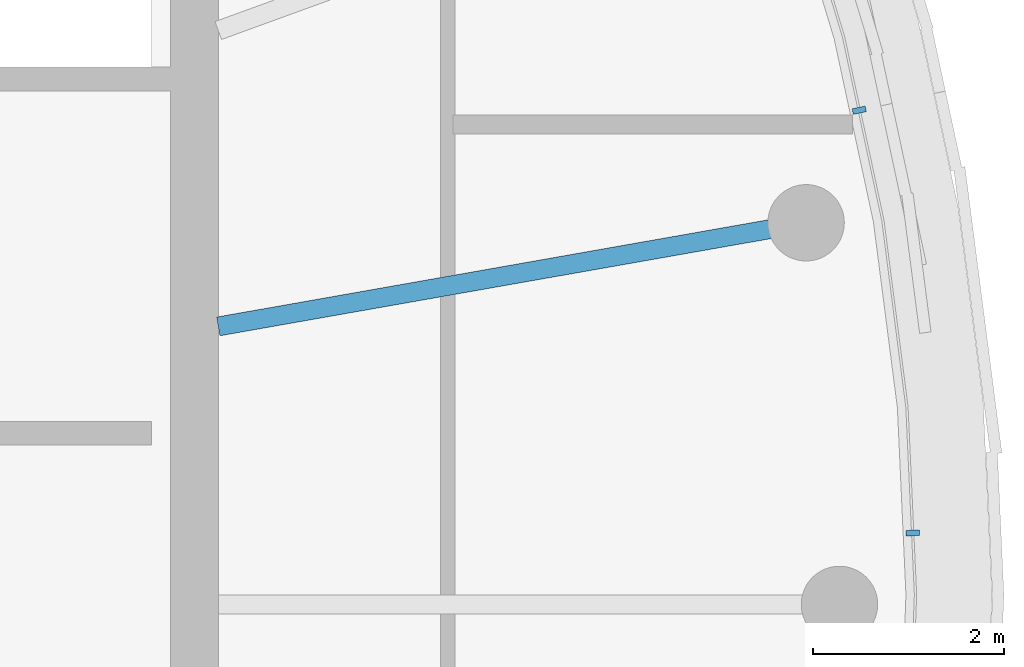
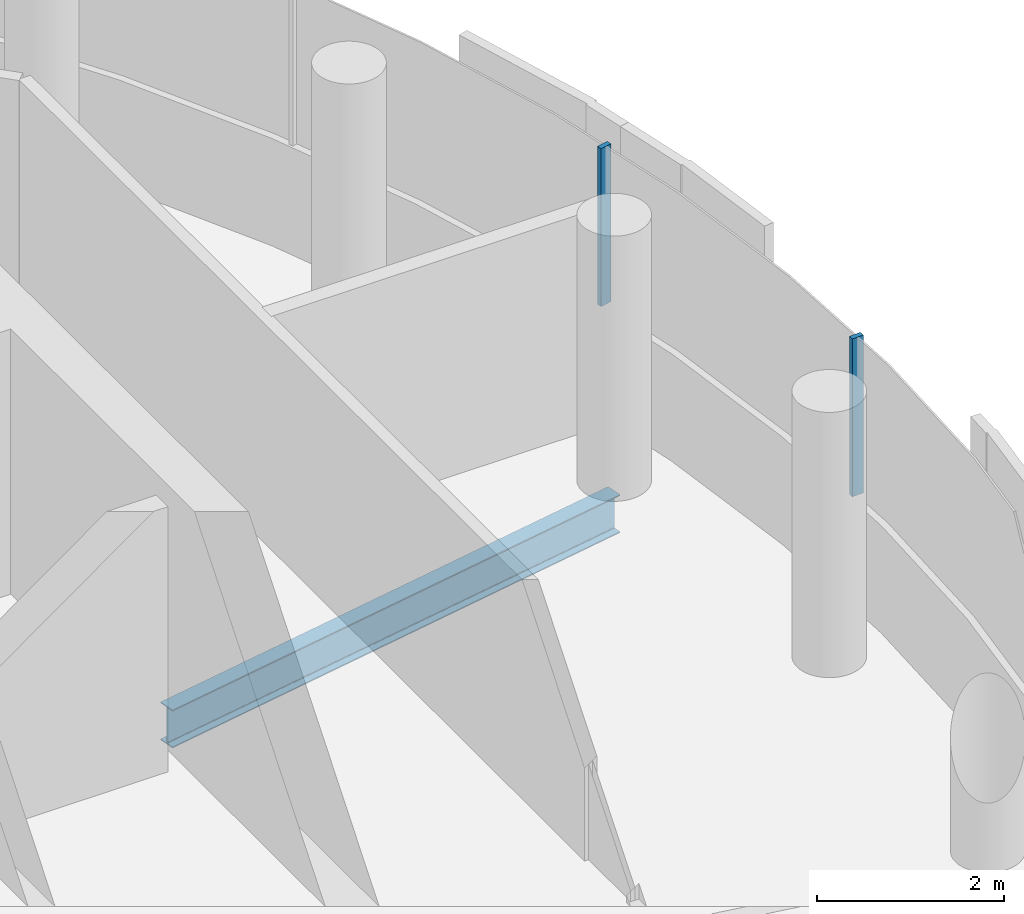
# One storey, part 8 of 21: 2 members, 1 beam, 1 element without a shape of its own.
"""IFC4 building model written with IfcOpenShell, lengths in metres."""

from ifc_helpers import new_model, si_unit, direction, frame, origin, origin_2d, place, context, subcontext, project, spatial, rectangle, i_section, extrude, material, layer, layer_set, material_profile, profile_set, type_object, element, aggregate, save


model = new_model("IFC4")

# Units and contexts
model_context = context("Model", 3, precision=1e-05, world=origin(), true_north=direction((0.0, 1.0)))
body_context = subcontext(model_context, "Body", "Model", "MODEL_VIEW")
ifc_project = project(units=[si_unit("LENGTHUNIT", "METRE"), si_unit("AREAUNIT", "SQUARE_METRE"), si_unit("VOLUMEUNIT", "CUBIC_METRE"), si_unit("PLANEANGLEUNIT", "RADIAN"), si_unit("MASSUNIT", "GRAM", prefix="KILO")], contexts=[model_context])

# Site, building, storey
site_placement = place(None, origin())
site = spatial("IfcSite", under=ifc_project, at=site_placement, CompositionType="ELEMENT")
building_placement = place(site_placement, origin())
building = spatial("IfcBuilding", under=site, at=building_placement, Name="Tamarind Cross Interchange Tower", CompositionType="ELEMENT")
storey_placement = place(building_placement, frame((0.0, 0.0, 271.199951171875)))
storey = spatial("IfcBuildingStorey", under=building, at=storey_placement, Name="L69", CompositionType="ELEMENT", Elevation=271.199951171875)

# Beam
ifc_material_1 = material(Name="Steel Q355B", Category="steel")
ifc_material_profile_1 = material_profile(ifc_material_1, i_section(OverallWidth=0.198974609375, OverallDepth=0.49609375, WebThickness=0.009033203125, FlangeThickness=0.013916015625, FilletRadius=0.012939453125, at=origin_2d()), Name="HN 496x199x9x14")
ifc_profile_set_1 = profile_set([ifc_material_profile_1], Name="Steel Q355B")
beam_type = type_object("IfcBeamType", Name="Composite beam HN 496x199x9x14 Q355B", PredefinedType="BEAM", material=ifc_profile_set_1)
beam_placement = place(storey_placement, frame((22.650634765625, 3.993896484375, -0.387939453125), z_axis=(-0.984809127561, -0.173640382036, 0.0), x_axis=(0.173640382036, -0.984809127561, 0.0)))
element("IfcBeam", 1, at=beam_placement, inside=storey, type_object=beam_type, Name="Beam HH01", PredefinedType="BEAM", context=body_context, shape_type="SweptSolid", body=[
    extrude(i_section(OverallWidth=0.198974609375, OverallDepth=0.49609375, WebThickness=0.009033203125, FlangeThickness=0.013916015625, FilletRadius=0.012939453125, at=origin_2d()), origin(), (0.0, 0.0, 1.0), 6.24560546875),
])

# Curtain wall, members
ifc_material_2 = material(Name="Aluminium 6063-T6", Category="aluminium")
ifc_layer = layer(ifc_material_2, 0.139892578125)
ifc_layer_set = layer_set([ifc_layer], Name="Aluminium 6063-T6")
curtain_wall_type = type_object("IfcCurtainWallType", Name="Hotel curtain wall, 4.5 m bays", PredefinedType="NOTDEFINED", material=ifc_layer_set)
curtain_wall_placement = place(storey_placement, origin())
curtain_wall = element("IfcCurtainWall", 2, at=curtain_wall_placement, inside=storey, type_object=curtain_wall_type, Name="CWS-L69-01", PredefinedType="NOTDEFINED")
ifc_material_profile_2 = material_profile(ifc_material_2, rectangle(XDim=0.06005859375, YDim=0.139892578125, at=origin_2d()), Name="Mullion CW2")
ifc_profile_set_2 = profile_set([ifc_material_profile_2], Name="Aluminium 6063-T6")
member_type = type_object("IfcMemberType", Name="Mullion CW2", PredefinedType="MULLION", material=ifc_profile_set_2)
member_1_placement = place(storey_placement, frame((23.76611328125, 0.748046875, 1.400146484375), z_axis=(0.0, 0.0, 1.0), x_axis=(-0.045624486728, 0.998958660912, 0.0)))
member_1 = element("IfcMember", 3, at=member_1_placement, type_object=member_type, Name="CWM-L69-01-22", PredefinedType="MULLION", context=body_context, shape_type="SweptSolid", body=[
    extrude(rectangle(XDim=0.06005859375, YDim=0.139892578125, at=origin_2d()), origin(), (0.0, 0.0, 1.0), 2.059814453125),
])
member_2_placement = place(storey_placement, frame((23.20703125, 5.171630859375, 1.400146484375), z_axis=(0.0, 0.0, 1.0), x_axis=(-0.209425419705, 0.977824623121, 0.0)))
member_2 = element("IfcMember", 4, at=member_2_placement, type_object=member_type, Name="CWM-L69-01-23", PredefinedType="MULLION", context=body_context, shape_type="SweptSolid", body=[
    extrude(rectangle(XDim=0.06005859375, YDim=0.139892578125, at=origin_2d()), origin(), (0.0, 0.0, 1.0), 2.059814453125),
])
aggregate(curtain_wall, [member_1, member_2])

save(model, "model.ifc")
